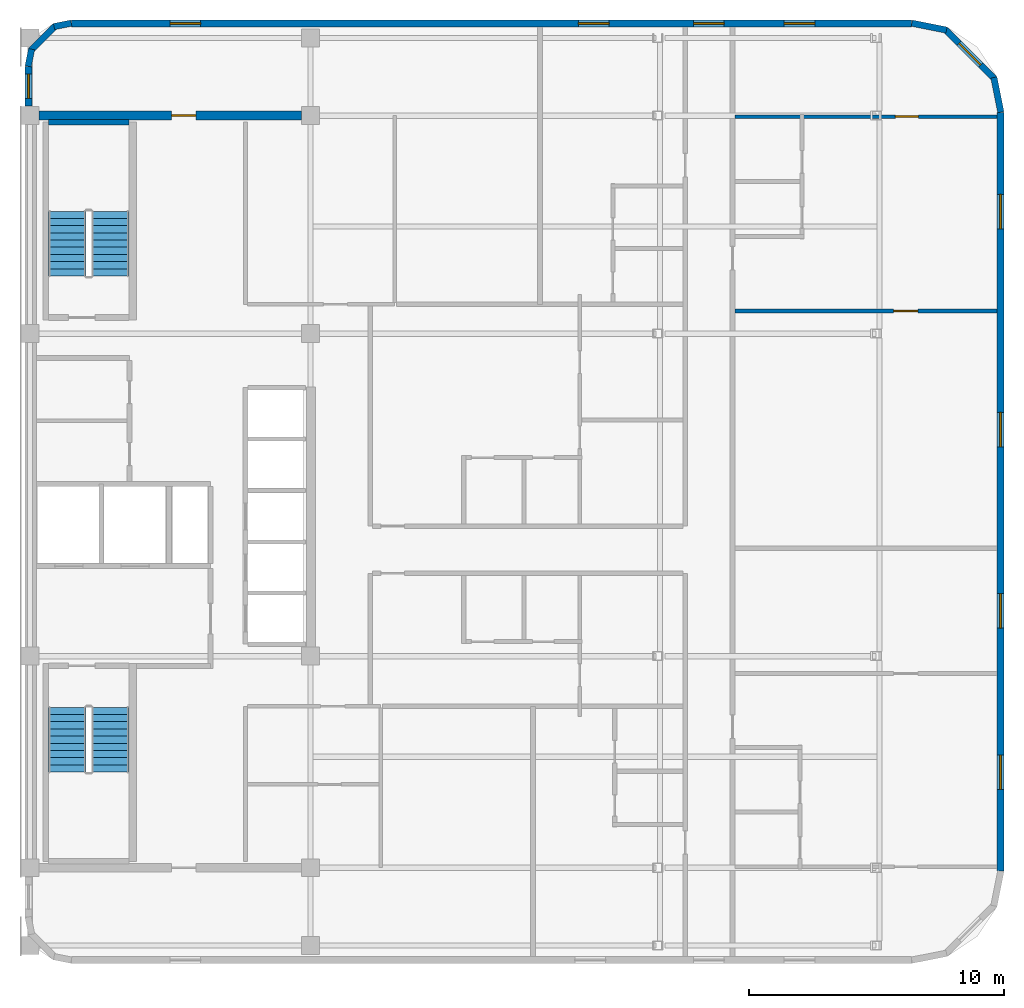
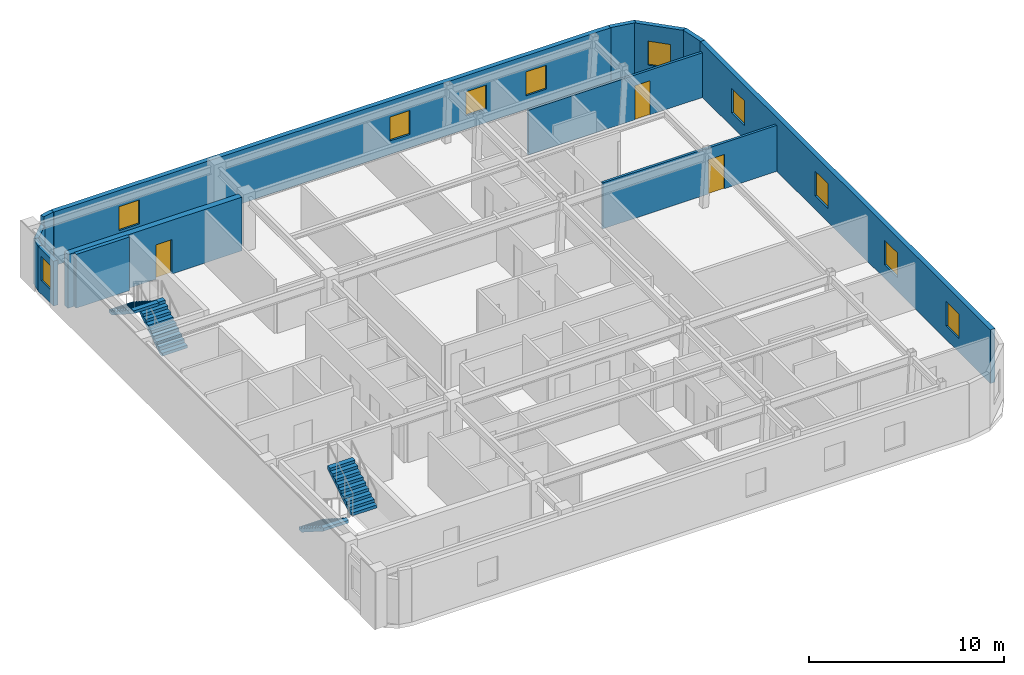
# One storey, part 5 of 6: 13 walls, 10 windows, 4 stair flights, 3 doors, 13 openings, 2 elements without a shape of their own.
"""IFC4 building model written with IfcOpenShell, lengths in metres."""

from ifc_helpers import new_model, si_unit, direction, frame, frame_2d, origin, place, context, subcontext, project, spatial, polyline, rectangle, outline, extrude, material, layer, layer_set, type_object, element, fill, aggregate, save


model = new_model("IFC4")

# Units and contexts
model_context = context("Model", 3, precision=1e-05, world=origin(), true_north=direction((0.0, 1.0)))
body_context = subcontext(model_context, "Body", "Model", "MODEL_VIEW")
ifc_project = project(units=[si_unit("LENGTHUNIT", "METRE"), si_unit("AREAUNIT", "SQUARE_METRE"), si_unit("VOLUMEUNIT", "CUBIC_METRE"), si_unit("PLANEANGLEUNIT", "RADIAN"), si_unit("MASSUNIT", "GRAM", prefix="KILO")], contexts=[model_context])

# Site, building, storey
site_placement = place(None, origin())
site = spatial("IfcSite", under=ifc_project, at=site_placement, CompositionType="ELEMENT")
building_placement = place(site_placement, origin())
building = spatial("IfcBuilding", under=site, at=building_placement, Name="Ochreholt Gables", CompositionType="ELEMENT")
storey_placement = place(building_placement, frame((0.0, 0.0, 253.199951171875)))
storey = spatial("IfcBuildingStorey", under=building, at=storey_placement, Name="L66", CompositionType="ELEMENT", Elevation=253.199951171875)

# Wall, opening, door
ifc_material_1 = material(Name="Concrete 50 MPa", Category="concrete")
ifc_layer_1 = layer(ifc_material_1, 0.35009765625, Name="Concrete 50 MPa")
ifc_layer_set_1 = layer_set([ifc_layer_1], Name="Concrete 50 MPa")
wall_type_1 = type_object("IfcWallType", Name="WALL-CSW-350", PredefinedType="SHEAR", material=ifc_layer_set_1)
wall_1_placement = place(storey_placement, frame((24.550048828125, 38.75, 0.0), z_axis=(0.0, 0.0, 1.0), x_axis=(1.0, 0.0, 0.0)))
wall_1 = element("IfcWall", 1, at=wall_1_placement, inside=storey, type_object=wall_type_1, Name="L66 Core North Shear Wall", PredefinedType="SHEAR", context=body_context, shape_type="SweptSolid", body=[
    extrude(rectangle(XDim=10.300048828125, YDim=0.35009765625, at=frame_2d((5.14990234375, 0.0))), origin(), (0.0, 0.0, 1.0), 3.360107421875),
])
opening_1_placement = place(wall_1_placement, frame((5.199951171875, 0.0, 0.0)))
opening_1 = element("IfcOpeningElement", 2, at=opening_1_placement, cuts=wall_1, Name="Opening D-FL2", PredefinedType="OPENING", context=body_context, shape_type="SweptSolid", body=[
    extrude(rectangle(XDim=0.949951171875, YDim=2.14990234375, at=frame_2d((0.47509765625, 1.074951171875))), frame((0.0, 0.18505859375, 0.0), z_axis=(0.0, -1.0, 0.0), x_axis=(1.0, 0.0, 0.0)), (0.0, 0.0, 1.0), 0.3701171875),
])
ifc_material_2 = material(Name="Hollow Metal Steel", Category="steel")
door_type_1 = type_object("IfcDoorType", Name="DR-INT-FLB950", OperationType="NOTDEFINED", PredefinedType="DOOR", material=ifc_material_2)
door_1_placement = place(opening_1_placement, origin())
door_1 = element("IfcDoor", 3, at=door_1_placement, inside=storey, type_object=door_type_1, Name="L66 Door D-C3NSR-L66", OperationType="SINGLE_SWING_RIGHT", OverallHeight=2.14990234375, OverallWidth=0.949951171875, PredefinedType="DOOR", context=body_context, shape_type="SweptSolid", body=[
    extrude(rectangle(XDim=0.949951171875, YDim=2.14990234375, at=frame_2d((0.47509765625, 1.074951171875))), frame((0.0, 0.02490234375, 0.0), z_axis=(0.0, -1.0, 0.0), x_axis=(1.0, 0.0, 0.0)), (0.0, 0.0, 1.0), 0.050048828125),
])
fill(opening_1, door_1)

# Wall, openings, windows
ifc_material_3 = material(Name="Precast concrete 40 MPa", Category="concrete")
ifc_layer_2 = layer(ifc_material_3, 0.27001953125, Name="Precast concrete 40 MPa")
ifc_layer_set_2 = layer_set([ifc_layer_2], Name="Precast concrete 40 MPa")
wall_type_2 = type_object("IfcWallType", Name="WALL-EXT-270", PredefinedType="SOLIDWALL", material=ifc_layer_set_2)
wall_2_placement = place(storey_placement, frame((62.264892578125, 9.1201171875, 0.0), z_axis=(0.0, 0.0, 1.0), x_axis=(0.0, 1.0, 0.0)))
wall_2 = element("IfcWall", 4, at=wall_2_placement, inside=storey, type_object=wall_type_2, Name="L66 East Exterior Wall", PredefinedType="SOLIDWALL", context=body_context, shape_type="SweptSolid", body=[
    extrude(rectangle(XDim=29.759765625, YDim=0.27001953125, at=frame_2d((14.8798828125, 0.0))), origin(), (0.0, 0.0, 1.0), 3.360107421875),
])
opening_2_placement = place(wall_2_placement, frame((3.199462890625, 0.0, 0.85009765625)))
opening_2 = element("IfcOpeningElement", 5, at=opening_2_placement, cuts=wall_2, Name="Opening WN-8", PredefinedType="OPENING", context=body_context, shape_type="SweptSolid", body=[
    extrude(rectangle(XDim=1.35009765625, YDim=1.550048828125, at=frame_2d((0.675048828125, 0.77490234375))), frame((0.0, 0.14501953125, 0.0), z_axis=(0.0, -1.0, 0.0), x_axis=(1.0, 0.0, 0.0)), (0.0, 0.0, 1.0), 0.2900390625),
])
opening_3_placement = place(wall_2_placement, frame((9.529296875, 0.0, 0.85009765625)))
opening_3 = element("IfcOpeningElement", 6, at=opening_3_placement, cuts=wall_2, Name="Opening WN-8", PredefinedType="OPENING", context=body_context, shape_type="SweptSolid", body=[
    extrude(rectangle(XDim=1.35009765625, YDim=1.550048828125, at=frame_2d((0.675048828125, 0.77490234375))), frame((0.0, 0.14501953125, 0.0), z_axis=(0.0, -1.0, 0.0), x_axis=(1.0, 0.0, 0.0)), (0.0, 0.0, 1.0), 0.2900390625),
])
opening_4_placement = place(wall_2_placement, frame((16.639892578125, 0.0, 0.85009765625)))
opening_4 = element("IfcOpeningElement", 7, at=opening_4_placement, cuts=wall_2, Name="Opening WN-8", PredefinedType="OPENING", context=body_context, shape_type="SweptSolid", body=[
    extrude(rectangle(XDim=1.35009765625, YDim=1.550048828125, at=frame_2d((0.675048828125, 0.77490234375))), frame((0.0, 0.14501953125, 0.0), z_axis=(0.0, -1.0, 0.0), x_axis=(1.0, 0.0, 0.0)), (0.0, 0.0, 1.0), 0.2900390625),
])
opening_5_placement = place(wall_2_placement, frame((25.18994140625, 0.0, 0.85009765625)))
opening_5 = element("IfcOpeningElement", 8, at=opening_5_placement, cuts=wall_2, Name="Opening WN-8", PredefinedType="OPENING", context=body_context, shape_type="SweptSolid", body=[
    extrude(rectangle(XDim=1.35009765625, YDim=1.550048828125, at=frame_2d((0.675048828125, 0.77490234375))), frame((0.0, 0.14501953125, 0.0), z_axis=(0.0, -1.0, 0.0), x_axis=(1.0, 0.0, 0.0)), (0.0, 0.0, 1.0), 0.2900390625),
])
ifc_material_4 = material(Name="Triple-Glazed Thermally Broken Aluminium Window", Category="aluminium")
window_type_1 = type_object("IfcWindowType", Name="WIN-RES-1350", PartitioningType="SINGLE_PANEL", PredefinedType="WINDOW", material=ifc_material_4)
window_1_placement = place(opening_2_placement, origin())
window_1 = element("IfcWindow", 9, at=window_1_placement, inside=storey, type_object=window_type_1, Name="L66 Window W-EXT-E-L66-1", OverallHeight=1.550048828125, OverallWidth=1.35009765625, PartitioningType="SINGLE_PANEL", PredefinedType="WINDOW", context=body_context, shape_type="SweptSolid", body=[
    extrude(rectangle(XDim=1.35009765625, YDim=1.550048828125, at=frame_2d((0.675048828125, 0.77490234375))), frame((0.0, 0.030029296875, 0.0), z_axis=(0.0, -1.0, 0.0), x_axis=(1.0, 0.0, 0.0)), (0.0, 0.0, 1.0), 0.06005859375),
])
fill(opening_2, window_1)
window_2_placement = place(opening_3_placement, origin())
window_2 = element("IfcWindow", 10, at=window_2_placement, inside=storey, type_object=window_type_1, Name="L66 Window W-EXT-E-L66-2", OverallHeight=1.550048828125, OverallWidth=1.35009765625, PartitioningType="SINGLE_PANEL", PredefinedType="WINDOW", context=body_context, shape_type="SweptSolid", body=[
    extrude(rectangle(XDim=1.35009765625, YDim=1.550048828125, at=frame_2d((0.675048828125, 0.77490234375))), frame((0.0, 0.030029296875, 0.0), z_axis=(0.0, -1.0, 0.0), x_axis=(1.0, 0.0, 0.0)), (0.0, 0.0, 1.0), 0.06005859375),
])
fill(opening_3, window_2)
window_3_placement = place(opening_4_placement, origin())
window_3 = element("IfcWindow", 11, at=window_3_placement, inside=storey, type_object=window_type_1, Name="L66 Window W-EXT-E-L66-3", OverallHeight=1.550048828125, OverallWidth=1.35009765625, PartitioningType="SINGLE_PANEL", PredefinedType="WINDOW", context=body_context, shape_type="SweptSolid", body=[
    extrude(rectangle(XDim=1.35009765625, YDim=1.550048828125, at=frame_2d((0.675048828125, 0.77490234375))), frame((0.0, 0.030029296875, 0.0), z_axis=(0.0, -1.0, 0.0), x_axis=(1.0, 0.0, 0.0)), (0.0, 0.0, 1.0), 0.06005859375),
])
fill(opening_4, window_3)
window_4_placement = place(opening_5_placement, origin())
window_4 = element("IfcWindow", 12, at=window_4_placement, inside=storey, type_object=window_type_1, Name="L66 Window W-EXT-E-L66-4", OverallHeight=1.550048828125, OverallWidth=1.35009765625, PartitioningType="SINGLE_PANEL", PredefinedType="WINDOW", context=body_context, shape_type="SweptSolid", body=[
    extrude(rectangle(XDim=1.35009765625, YDim=1.550048828125, at=frame_2d((0.675048828125, 0.77490234375))), frame((0.0, 0.030029296875, 0.0), z_axis=(0.0, -1.0, 0.0), x_axis=(1.0, 0.0, 0.0)), (0.0, 0.0, 1.0), 0.06005859375),
])
fill(opening_5, window_4)

wall_3_placement = place(storey_placement, frame((58.780029296875, 42.364990234375, 0.0), z_axis=(0.0, 0.0, 1.0), x_axis=(-1.0, 0.0, 0.0)))
wall_3 = element("IfcWall", 13, at=wall_3_placement, inside=storey, type_object=wall_type_2, Name="L66 North Exterior Wall", PredefinedType="SOLIDWALL", context=body_context, shape_type="SweptSolid", body=[
    extrude(rectangle(XDim=32.9599609375, YDim=0.27001953125, at=frame_2d((16.47998046875, 0.0))), origin(), (0.0, 0.0, 1.0), 3.360107421875),
])
opening_6_placement = place(wall_3_placement, frame((27.889892578125, 0.0, 0.85009765625)))
opening_6 = element("IfcOpeningElement", 14, at=opening_6_placement, cuts=wall_3, Name="Opening WN-3", PredefinedType="OPENING", context=body_context, shape_type="SweptSolid", body=[
    extrude(rectangle(XDim=1.199951171875, YDim=1.5, at=frame_2d((0.60009765625, 0.75))), frame((0.0, 0.14501953125, 0.0), z_axis=(0.0, -1.0, 0.0), x_axis=(1.0, 0.0, 0.0)), (0.0, 0.0, 1.0), 0.2900390625),
])
opening_7_placement = place(wall_3_placement, frame((11.869384765625, 0.0, 0.85009765625)))
opening_7 = element("IfcOpeningElement", 15, at=opening_7_placement, cuts=wall_3, Name="Opening WN-3", PredefinedType="OPENING", context=body_context, shape_type="SweptSolid", body=[
    extrude(rectangle(XDim=1.199951171875, YDim=1.5, at=frame_2d((0.60009765625, 0.75))), frame((0.0, 0.14501953125, 0.0), z_axis=(0.0, -1.0, 0.0), x_axis=(1.0, 0.0, 0.0)), (0.0, 0.0, 1.0), 0.2900390625),
])
opening_8_placement = place(wall_3_placement, frame((7.35498046875, 0.0, 0.85009765625)))
opening_8 = element("IfcOpeningElement", 16, at=opening_8_placement, cuts=wall_3, Name="Opening WN-3", PredefinedType="OPENING", context=body_context, shape_type="SweptSolid", body=[
    extrude(rectangle(XDim=1.199951171875, YDim=1.5, at=frame_2d((0.60009765625, 0.75))), frame((0.0, 0.14501953125, 0.0), z_axis=(0.0, -1.0, 0.0), x_axis=(1.0, 0.0, 0.0)), (0.0, 0.0, 1.0), 0.2900390625),
])
opening_9_placement = place(wall_3_placement, frame((3.801513671875, 0.0, 0.85009765625)))
opening_9 = element("IfcOpeningElement", 17, at=opening_9_placement, cuts=wall_3, Name="Opening WN-3", PredefinedType="OPENING", context=body_context, shape_type="SweptSolid", body=[
    extrude(rectangle(XDim=1.199951171875, YDim=1.5, at=frame_2d((0.60009765625, 0.75))), frame((0.0, 0.14501953125, 0.0), z_axis=(0.0, -1.0, 0.0), x_axis=(1.0, 0.0, 0.0)), (0.0, 0.0, 1.0), 0.2900390625),
])
window_type_2 = type_object("IfcWindowType", Name="WIN-RES-1200", PartitioningType="SINGLE_PANEL", PredefinedType="WINDOW", material=ifc_material_4)
window_5_placement = place(opening_6_placement, origin())
window_5 = element("IfcWindow", 18, at=window_5_placement, inside=storey, type_object=window_type_2, Name="L66 Window W-EXT-N-L66-1", OverallHeight=1.5, OverallWidth=1.199951171875, PartitioningType="SINGLE_PANEL", PredefinedType="WINDOW", context=body_context, shape_type="SweptSolid", body=[
    extrude(rectangle(XDim=1.199951171875, YDim=1.5, at=frame_2d((0.60009765625, 0.75))), frame((0.0, 0.030029296875, 0.0), z_axis=(0.0, -1.0, 0.0), x_axis=(1.0, 0.0, 0.0)), (0.0, 0.0, 1.0), 0.06005859375),
])
fill(opening_6, window_5)
window_6_placement = place(opening_7_placement, origin())
window_6 = element("IfcWindow", 19, at=window_6_placement, inside=storey, type_object=window_type_2, Name="L66 Window W-EXT-N-L66-2", OverallHeight=1.5, OverallWidth=1.199951171875, PartitioningType="SINGLE_PANEL", PredefinedType="WINDOW", context=body_context, shape_type="SweptSolid", body=[
    extrude(rectangle(XDim=1.199951171875, YDim=1.5, at=frame_2d((0.60009765625, 0.75))), frame((0.0, 0.030029296875, 0.0), z_axis=(0.0, -1.0, 0.0), x_axis=(1.0, 0.0, 0.0)), (0.0, 0.0, 1.0), 0.06005859375),
])
fill(opening_7, window_6)
window_7_placement = place(opening_8_placement, origin())
window_7 = element("IfcWindow", 20, at=window_7_placement, inside=storey, type_object=window_type_2, Name="L66 Window W-EXT-N-L66-3", OverallHeight=1.5, OverallWidth=1.199951171875, PartitioningType="SINGLE_PANEL", PredefinedType="WINDOW", context=body_context, shape_type="SweptSolid", body=[
    extrude(rectangle(XDim=1.199951171875, YDim=1.5, at=frame_2d((0.60009765625, 0.75))), frame((0.0, 0.030029296875, 0.0), z_axis=(0.0, -1.0, 0.0), x_axis=(1.0, 0.0, 0.0)), (0.0, 0.0, 1.0), 0.06005859375),
])
fill(opening_8, window_7)
window_8_placement = place(opening_9_placement, origin())
window_8 = element("IfcWindow", 21, at=window_8_placement, inside=storey, type_object=window_type_2, Name="L66 Window W-EXT-N-L66-4", OverallHeight=1.5, OverallWidth=1.199951171875, PartitioningType="SINGLE_PANEL", PredefinedType="WINDOW", context=body_context, shape_type="SweptSolid", body=[
    extrude(rectangle(XDim=1.199951171875, YDim=1.5, at=frame_2d((0.60009765625, 0.75))), frame((0.0, 0.030029296875, 0.0), z_axis=(0.0, -1.0, 0.0), x_axis=(1.0, 0.0, 0.0)), (0.0, 0.0, 1.0), 0.06005859375),
])
fill(opening_9, window_8)

# Wall, opening, window
wall_4_placement = place(storey_placement, frame((24.135009765625, 39.1201171875, 0.0), z_axis=(0.0, 0.0, 1.0), x_axis=(0.0, 1.0, 0.0)))
wall_4 = element("IfcWall", 22, at=wall_4_placement, inside=storey, type_object=wall_type_2, Name="L66 West Facade North Bay Wall", PredefinedType="SOLIDWALL", context=body_context, shape_type="SweptSolid", body=[
    extrude(rectangle(XDim=1.559814453125, YDim=0.27001953125, at=frame_2d((0.77978515625, 0.0))), origin(), (0.0, 0.0, 1.0), 2.802978515625),
])
opening_10_placement = place(wall_4_placement, frame((0.304931640625, 0.0, 0.85009765625)))
opening_10 = element("IfcOpeningElement", 23, at=opening_10_placement, cuts=wall_4, Name="Opening WN-10", PredefinedType="OPENING", context=body_context, shape_type="SweptSolid", body=[
    extrude(rectangle(XDim=0.949951171875, YDim=1.5, at=frame_2d((0.47509765625, 0.75))), frame((0.0, 0.14501953125, 0.0), z_axis=(0.0, -1.0, 0.0), x_axis=(1.0, 0.0, 0.0)), (0.0, 0.0, 1.0), 0.2900390625),
])
window_type_3 = type_object("IfcWindowType", Name="WIN-RES-950", PartitioningType="SINGLE_PANEL", PredefinedType="WINDOW", material=ifc_material_4)
window_9_placement = place(opening_10_placement, origin())
window_9 = element("IfcWindow", 24, at=window_9_placement, inside=storey, type_object=window_type_3, Name="L66 North Sky Reading West Window", OverallHeight=1.5, OverallWidth=0.949951171875, PartitioningType="SINGLE_PANEL", PredefinedType="WINDOW", context=body_context, shape_type="SweptSolid", body=[
    extrude(rectangle(XDim=0.949951171875, YDim=1.5, at=frame_2d((0.47509765625, 0.75))), frame((0.0, 0.030029296875, 0.0), z_axis=(0.0, -1.0, 0.0), x_axis=(1.0, 0.0, 0.0)), (0.0, 0.0, 1.0), 0.06005859375),
])
fill(opening_10, window_9)

# Wall
ifc_layer_3 = layer(ifc_material_3, 0.25, Name="Precast concrete 40 MPa")
ifc_layer_set_3 = layer_set([ifc_layer_3], Name="Precast concrete 40 MPa")
wall_type_3 = type_object("IfcWallType", Name="WALL-EXT-CNR", PredefinedType="SOLIDWALL", material=ifc_layer_set_3)
wall_5_placement = place(storey_placement, frame((62.27587890625, 38.883544921875, 0.0), z_axis=(0.0, 0.0, 1.0), x_axis=(-0.195135625965, 0.9807762678, 0.0)))
element("IfcWall", 25, at=wall_5_placement, inside=storey, type_object=wall_type_3, Name="L66 Rounded Corner Wall NE-1", PredefinedType="SOLIDWALL", context=body_context, shape_type="SweptSolid", body=[
    extrude(rectangle(XDim=1.388671875, YDim=0.25, at=frame_2d((0.6943359375, 0.0))), origin(), (0.0, 0.0, 1.0), 3.360107421875),
])

# Wall, opening, window
wall_6_placement = place(storey_placement, frame((62.031982421875, 40.195068359375, 0.0), z_axis=(0.0, 0.0, 1.0), x_axis=(-0.707106781187, 0.707106781187, 0.0)))
wall_6 = element("IfcWall", 26, at=wall_6_placement, inside=storey, type_object=wall_type_3, Name="L66 Rounded Corner Wall NE-2", PredefinedType="SOLIDWALL", context=body_context, shape_type="SweptSolid", body=[
    extrude(rectangle(XDim=2.7392578125, YDim=0.25, at=frame_2d((1.36962890625, 0.0))), origin(), (0.0, 0.0, 1.0), 3.360107421875),
])
opening_11_placement = place(wall_6_placement, frame((0.769775390625, 0.0, 0.85009765625)))
opening_11 = element("IfcOpeningElement", 27, at=opening_11_placement, cuts=wall_6, Name="Opening WN-3", PredefinedType="OPENING", context=body_context, shape_type="SweptSolid", body=[
    extrude(rectangle(XDim=1.199951171875, YDim=1.5, at=frame_2d((0.60009765625, 0.75))), frame((0.0, 0.135009765625, 0.0), z_axis=(0.0, -1.0, 0.0), x_axis=(1.0, 0.0, 0.0)), (0.0, 0.0, 1.0), 0.27001953125),
])
window_10_placement = place(opening_11_placement, origin())
window_10 = element("IfcWindow", 28, at=window_10_placement, inside=storey, type_object=window_type_2, Name="L66 Corner Bedroom Window NE", OverallHeight=1.5, OverallWidth=1.199951171875, PartitioningType="SINGLE_PANEL", PredefinedType="WINDOW", context=body_context, shape_type="SweptSolid", body=[
    extrude(rectangle(XDim=1.199951171875, YDim=1.5, at=frame_2d((0.60009765625, 0.75))), frame((0.0, 0.030029296875, 0.0), z_axis=(0.0, -1.0, 0.0), x_axis=(1.0, 0.0, 0.0)), (0.0, 0.0, 1.0), 0.06005859375),
])
fill(opening_11, window_10)

# Walls
wall_7_placement = place(storey_placement, frame((60.1455078125, 42.10498046875, 0.0), z_axis=(0.0, 0.0, 1.0), x_axis=(-0.980809899341, 0.19496651342, 0.0)))
element("IfcWall", 29, at=wall_7_placement, inside=storey, type_object=wall_type_3, Name="L66 Rounded Corner Wall NE-3", PredefinedType="SOLIDWALL", context=body_context, shape_type="SweptSolid", body=[
    extrude(rectangle(XDim=1.388671875, YDim=0.25, at=frame_2d((0.6943359375, 0.0))), origin(), (0.0, 0.0, 1.0), 3.360107421875),
])
wall_8_placement = place(storey_placement, frame((25.81640625, 42.375732421875, 0.0), z_axis=(0.0, 0.0, 1.0), x_axis=(-0.980812594069, -0.194952956674, 0.0)))
element("IfcWall", 30, at=wall_8_placement, inside=storey, type_object=wall_type_3, Name="L66 Rounded Corner Wall NW-1", PredefinedType="SOLIDWALL", context=body_context, shape_type="SweptSolid", body=[
    extrude(rectangle(XDim=0.686279296875, YDim=0.25, at=frame_2d((0.34326171875, 0.0))), origin(), (0.0, 0.0, 1.0), 3.360107421875),
])
wall_9_placement = place(storey_placement, frame((25.19384765625, 42.26904296875, 0.0), z_axis=(0.0, 0.0, 1.0), x_axis=(-0.707106781187, -0.707106781187, 0.0)))
element("IfcWall", 31, at=wall_9_placement, inside=storey, type_object=wall_type_3, Name="L66 Rounded Corner Wall NW-2", PredefinedType="SOLIDWALL", context=body_context, shape_type="SweptSolid", body=[
    extrude(rectangle(XDim=1.36181640625, YDim=0.25, at=frame_2d((0.680908203125, 0.0))), origin(), (0.0, 0.0, 1.0), 2.802978515625),
])
wall_10_placement = place(storey_placement, frame((24.258056640625, 41.356689453125, 0.0), z_axis=(0.0, 0.0, 1.0), x_axis=(-0.194952956674, -0.980812594069, 0.0)))
element("IfcWall", 32, at=wall_10_placement, inside=storey, type_object=wall_type_3, Name="L66 Rounded Corner Wall NW-3", PredefinedType="SOLIDWALL", context=body_context, shape_type="SweptSolid", body=[
    extrude(rectangle(XDim=0.686279296875, YDim=0.25, at=frame_2d((0.34326171875, 0.0))), origin(), (0.0, 0.0, 1.0), 2.802978515625),
])

# Wall, opening, door
ifc_material_5 = material(Name="Lightweight Stud Partition", Category="gypsum")
ifc_layer_4 = layer(ifc_material_5, 0.14501953125, Name="Lightweight Stud Partition")
ifc_layer_set_4 = layer_set([ifc_layer_4], Name="Lightweight Stud Partition")
wall_type_4 = type_object("IfcWallType", Name="WALL-INT-PT145", PredefinedType="PARTITIONING", material=ifc_layer_set_4)
wall_11_placement = place(storey_placement, frame((51.840087890625, 38.7099609375, 0.0), z_axis=(0.0, 0.0, 1.0), x_axis=(1.0, 0.0, 0.0)))
wall_11 = element("IfcWall", 33, at=wall_11_placement, inside=storey, type_object=wall_type_4, Name="L66 Interior Wall WU-L66E2-MN", PredefinedType="PARTITIONING", context=body_context, shape_type="SweptSolid", body=[
    extrude(rectangle(XDim=10.289794921875, YDim=0.14501953125, at=frame_2d((5.14501953125, 0.0))), origin(), (0.0, 0.0, 1.0), 2.802978515625),
])
opening_12_placement = place(wall_11_placement, frame((6.301025390625, 0.0, 0.0)))
opening_12 = element("IfcOpeningElement", 34, at=opening_12_placement, cuts=wall_11, Name="Opening D-BD1", PredefinedType="OPENING", context=body_context, shape_type="SweptSolid", body=[
    extrude(rectangle(XDim=0.89990234375, YDim=2.139892578125, at=frame_2d((0.449951171875, 1.06982421875))), frame((0.0, 0.08251953125, 0.0), z_axis=(0.0, -1.0, 0.0), x_axis=(1.0, 0.0, 0.0)), (0.0, 0.0, 1.0), 0.1650390625),
])
ifc_material_6 = material(Name="Engineered Oak Timber", Category="wood")
door_type_2 = type_object("IfcDoorType", Name="DR-INT-BED900", OperationType="NOTDEFINED", PredefinedType="DOOR", material=ifc_material_6)
door_2_placement = place(opening_12_placement, origin())
door_2 = element("IfcDoor", 35, at=door_2_placement, inside=storey, type_object=door_type_2, Name="L66 Door D-U-L66E2-BD1", OperationType="SINGLE_SWING_RIGHT", OverallHeight=2.139892578125, OverallWidth=0.89990234375, PredefinedType="DOOR", context=body_context, shape_type="SweptSolid", body=[
    extrude(rectangle(XDim=0.89990234375, YDim=2.139892578125, at=frame_2d((0.449951171875, 1.06982421875))), frame((0.0, 0.02490234375, 0.0), z_axis=(0.0, -1.0, 0.0), x_axis=(1.0, 0.0, 0.0)), (0.0, 0.0, 1.0), 0.050048828125),
])
fill(opening_12, door_2)

wall_12_placement = place(storey_placement, frame((51.840087890625, 31.08984375, 0.0), z_axis=(0.0, 0.0, 1.0), x_axis=(1.0, 0.0, 0.0)))
wall_12 = element("IfcWall", 36, at=wall_12_placement, inside=storey, type_object=wall_type_4, Name="L66 Interior Wall WU-L66E2-DNW", PredefinedType="PARTITIONING", context=body_context, shape_type="SweptSolid", body=[
    extrude(rectangle(XDim=10.289794921875, YDim=0.14501953125, at=frame_2d((5.14501953125, 0.0))), origin(), (0.0, 0.0, 1.0), 2.879150390625),
])
opening_13_placement = place(wall_12_placement, frame((6.235107421875, 0.0, 0.0)))
opening_13 = element("IfcOpeningElement", 37, at=opening_13_placement, cuts=wall_12, Name="Opening D-GN1", PredefinedType="OPENING", context=body_context, shape_type="SweptSolid", body=[
    extrude(rectangle(XDim=0.949951171875, YDim=2.14990234375, at=frame_2d((0.47509765625, 1.074951171875))), frame((0.0, 0.08251953125, 0.0), z_axis=(0.0, -1.0, 0.0), x_axis=(1.0, 0.0, 0.0)), (0.0, 0.0, 1.0), 0.1650390625),
])
door_type_3 = type_object("IfcDoorType", Name="DR-INT-GEN950", OperationType="NOTDEFINED", PredefinedType="DOOR", material=ifc_material_6)
door_3_placement = place(opening_13_placement, origin())
door_3 = element("IfcDoor", 38, at=door_3_placement, inside=storey, type_object=door_type_3, Name="L66 Door D-U-L66E2-DIN", OperationType="SINGLE_SWING_RIGHT", OverallHeight=2.14990234375, OverallWidth=0.949951171875, PredefinedType="DOOR", context=body_context, shape_type="SweptSolid", body=[
    extrude(rectangle(XDim=0.949951171875, YDim=2.14990234375, at=frame_2d((0.47509765625, 1.074951171875))), frame((0.0, 0.02490234375, 0.0), z_axis=(0.0, -1.0, 0.0), x_axis=(1.0, 0.0, 0.0)), (0.0, 0.0, 1.0), 0.050048828125),
])
fill(opening_13, door_3)

# Wall
ifc_layer_5 = layer(ifc_material_1, 0.219970703125, Name="Concrete 50 MPa")
ifc_layer_set_5 = layer_set([ifc_layer_5], Name="Concrete 50 MPa")
wall_type_5 = type_object("IfcWallType", Name="WALL-STW-220", PredefinedType="SHEAR", material=ifc_layer_set_5)
wall_13_placement = place(storey_placement, frame((24.919921875, 38.489990234375, 0.0), z_axis=(0.0, 0.0, 1.0), x_axis=(1.0, 0.0, 0.0)))
element("IfcWall", 39, at=wall_13_placement, inside=storey, type_object=wall_type_5, Name="L66 Exit Stair 2 North Wall", PredefinedType="SHEAR", context=body_context, shape_type="SweptSolid", body=[
    extrude(rectangle(XDim=3.16015625, YDim=0.219970703125, at=frame_2d((1.580078125, 0.0))), origin(), (0.0, 0.0, 1.0), 3.360107421875),
])

# Stair, stair flights
ifc_material_7 = material(Name="Concrete 40 MPa", Category="concrete")
stair_type_1 = type_object("IfcStairType", Name="STAIR-CORE-ST-1", PredefinedType="HALF_TURN_STAIR", material=ifc_material_7)
stair_1_placement = place(storey_placement, origin())
stair_1 = element("IfcStair", 40, at=stair_1_placement, inside=storey, type_object=stair_type_1, Name="L66 Core Exit Stair 1", PredefinedType="HALF_TURN_STAIR")
stair_flight_type = type_object("IfcStairFlightType", Name="FLIGHT-ST-1480-1800", PredefinedType="STRAIGHT", material=ifc_material_7)
stair_flight_1_placement = place(storey_placement, frame((25.659912109375, 15.5400390625, 0.0), z_axis=(0.0, 0.0, 1.0), x_axis=(0.0, -1.0, 0.0)))
stair_flight_1 = element("IfcStairFlight", 41, at=stair_flight_1_placement, type_object=stair_flight_type, Name="ST-1 flight 1", NumberOfRisers=10, NumberOfTreads=9, PredefinedType="STRAIGHT", RiserHeight=0.18, TreadLength=0.282, context=body_context, shape_type="SweptSolid", body=[
    extrude(outline(polyline([(0.0, 0.0), (0.0, 0.179931640625), (0.281982421875, 0.179931640625), (0.281982421875, 0.360107421875), (0.56396484375, 0.360107421875), (0.56396484375, 0.5400390625), (0.845947265625, 0.5400390625), (0.845947265625, 0.719970703125), (1.1279296875, 0.719970703125), (1.1279296875, 0.89990234375), (1.409912109375, 0.89990234375), (1.409912109375, 1.080078125), (1.69189453125, 1.080078125), (1.69189453125, 1.260009765625), (1.97412109375, 1.260009765625), (1.97412109375, 1.43994140625), (2.256103515625, 1.43994140625), (2.256103515625, 1.6201171875), (2.5380859375, 1.6201171875), (2.5380859375, 1.800048828125), (2.5380859375, 1.442138671875), (0.278564453125, 0.0), (0.0, 0.0)])), frame((0.0, 0.739990234375, 0.0), z_axis=(0.0, -1.0, 0.0), x_axis=(1.0, 0.0, 0.0)), (0.0, 0.0, 1.0), 1.47998046875),
])
stair_flight_2_placement = place(storey_placement, frame((27.340087890625, 13.001953125, 1.800048828125), z_axis=(0.0, 0.0, 1.0), x_axis=(0.0, 1.0, 0.0)))
stair_flight_2 = element("IfcStairFlight", 42, at=stair_flight_2_placement, type_object=stair_flight_type, Name="ST-1 flight 2", NumberOfRisers=10, NumberOfTreads=9, PredefinedType="STRAIGHT", RiserHeight=0.18, TreadLength=0.282, context=body_context, shape_type="SweptSolid", body=[
    extrude(outline(polyline([(0.0, 0.0), (0.0, 0.179931640625), (0.281982421875, 0.179931640625), (0.281982421875, 0.360107421875), (0.56396484375, 0.360107421875), (0.56396484375, 0.5400390625), (0.845947265625, 0.5400390625), (0.845947265625, 0.719970703125), (1.1279296875, 0.719970703125), (1.1279296875, 0.89990234375), (1.409912109375, 0.89990234375), (1.409912109375, 1.080078125), (1.69189453125, 1.080078125), (1.69189453125, 1.260009765625), (1.97412109375, 1.260009765625), (1.97412109375, 1.43994140625), (2.256103515625, 1.43994140625), (2.256103515625, 1.6201171875), (2.5380859375, 1.6201171875), (2.5380859375, 1.800048828125), (2.5380859375, 1.442138671875), (0.278564453125, 0.0), (0.0, 0.0)])), frame((0.0, 0.739990234375, 0.0), z_axis=(0.0, -1.0, 0.0), x_axis=(1.0, 0.0, 0.0)), (0.0, 0.0, 1.0), 1.47998046875),
])
aggregate(stair_1, [stair_flight_1, stair_flight_2])

stair_type_2 = type_object("IfcStairType", Name="STAIR-CORE-ST-2", PredefinedType="HALF_TURN_STAIR", material=ifc_material_7)
stair_2_placement = place(storey_placement, origin())
stair_2 = element("IfcStair", 43, at=stair_2_placement, inside=storey, type_object=stair_type_2, Name="L66 Core Exit Stair 2", PredefinedType="HALF_TURN_STAIR")
stair_flight_3_placement = place(storey_placement, frame((27.340087890625, 32.4599609375, 0.0), z_axis=(0.0, 0.0, 1.0), x_axis=(0.0, 1.0, 0.0)))
stair_flight_3 = element("IfcStairFlight", 44, at=stair_flight_3_placement, type_object=stair_flight_type, Name="ST-2 flight 1", NumberOfRisers=10, NumberOfTreads=9, PredefinedType="STRAIGHT", RiserHeight=0.18, TreadLength=0.282, context=body_context, shape_type="SweptSolid", body=[
    extrude(outline(polyline([(0.0, 0.0), (0.0, 0.179931640625), (0.281982421875, 0.179931640625), (0.281982421875, 0.360107421875), (0.56396484375, 0.360107421875), (0.56396484375, 0.5400390625), (0.845947265625, 0.5400390625), (0.845947265625, 0.719970703125), (1.1279296875, 0.719970703125), (1.1279296875, 0.89990234375), (1.409912109375, 0.89990234375), (1.409912109375, 1.080078125), (1.69189453125, 1.080078125), (1.69189453125, 1.260009765625), (1.97412109375, 1.260009765625), (1.97412109375, 1.43994140625), (2.256103515625, 1.43994140625), (2.256103515625, 1.6201171875), (2.5380859375, 1.6201171875), (2.5380859375, 1.800048828125), (2.5380859375, 1.442138671875), (0.278564453125, 0.0), (0.0, 0.0)])), frame((0.0, 0.739990234375, 0.0), z_axis=(0.0, -1.0, 0.0), x_axis=(1.0, 0.0, 0.0)), (0.0, 0.0, 1.0), 1.47998046875),
])
stair_flight_4_placement = place(storey_placement, frame((25.659912109375, 34.998046875, 1.800048828125), z_axis=(0.0, 0.0, 1.0), x_axis=(0.0, -1.0, 0.0)))
stair_flight_4 = element("IfcStairFlight", 45, at=stair_flight_4_placement, type_object=stair_flight_type, Name="ST-2 flight 2", NumberOfRisers=10, NumberOfTreads=9, PredefinedType="STRAIGHT", RiserHeight=0.18, TreadLength=0.282, context=body_context, shape_type="SweptSolid", body=[
    extrude(outline(polyline([(0.0, 0.0), (0.0, 0.179931640625), (0.281982421875, 0.179931640625), (0.281982421875, 0.360107421875), (0.56396484375, 0.360107421875), (0.56396484375, 0.5400390625), (0.845947265625, 0.5400390625), (0.845947265625, 0.719970703125), (1.1279296875, 0.719970703125), (1.1279296875, 0.89990234375), (1.409912109375, 0.89990234375), (1.409912109375, 1.080078125), (1.69189453125, 1.080078125), (1.69189453125, 1.260009765625), (1.97412109375, 1.260009765625), (1.97412109375, 1.43994140625), (2.256103515625, 1.43994140625), (2.256103515625, 1.6201171875), (2.5380859375, 1.6201171875), (2.5380859375, 1.800048828125), (2.5380859375, 1.442138671875), (0.278564453125, 0.0), (0.0, 0.0)])), frame((0.0, 0.739990234375, 0.0), z_axis=(0.0, -1.0, 0.0), x_axis=(1.0, 0.0, 0.0)), (0.0, 0.0, 1.0), 1.47998046875),
])
aggregate(stair_2, [stair_flight_3, stair_flight_4])

save(model, "model.ifc")
